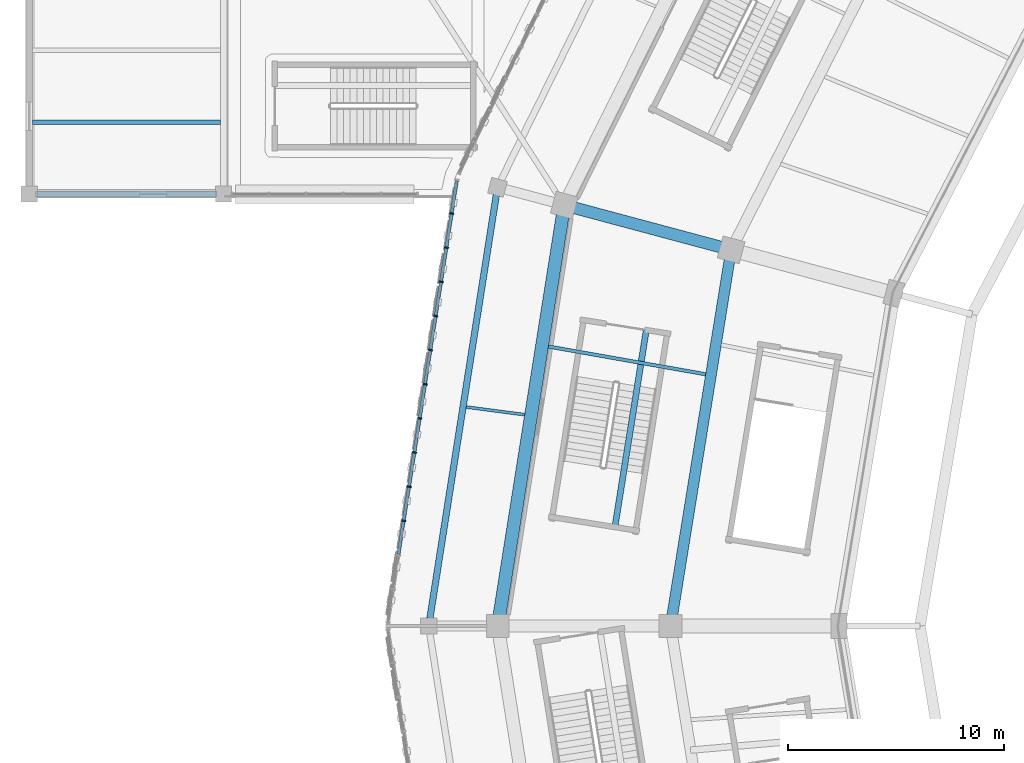
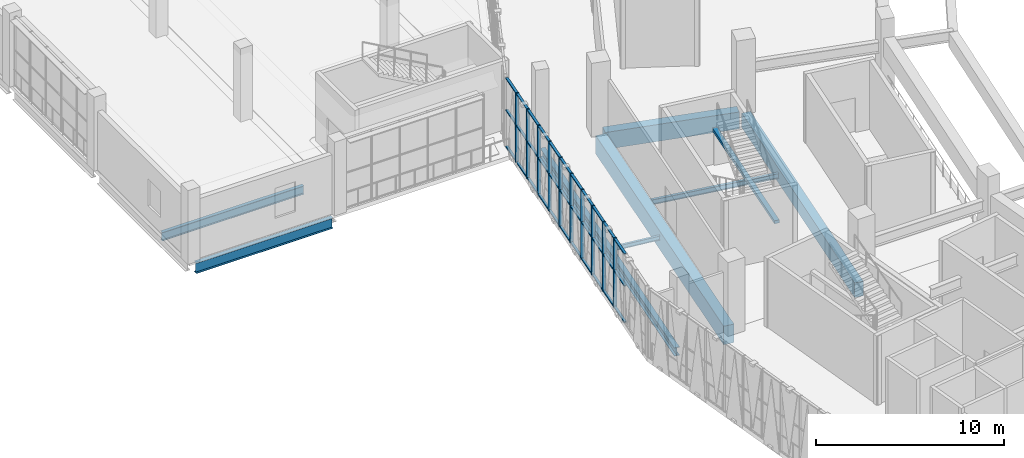
# One storey, part 22 of 179: 43 members, 9 beams, 1 element without a shape of its own.
"""IFC4 building model written with IfcOpenShell, lengths in metres."""

from ifc_helpers import new_model, si_unit, direction, frame, origin, origin_2d, place, context, subcontext, project, spatial, rectangle, i_section, extrude, material, material_profile, profile_set, type_object, element, aggregate, save


model = new_model("IFC4")

# Units and contexts
model_context = context("Model", 3, precision=1e-05, world=origin(), true_north=direction((0.0, 1.0)))
body_context = subcontext(model_context, "Body", "Model", "MODEL_VIEW")
ifc_project = project(units=[si_unit("LENGTHUNIT", "METRE"), si_unit("AREAUNIT", "SQUARE_METRE"), si_unit("VOLUMEUNIT", "CUBIC_METRE"), si_unit("PLANEANGLEUNIT", "RADIAN"), si_unit("MASSUNIT", "GRAM", prefix="KILO")], contexts=[model_context])

# Site, building, storey
site_placement = place(None, origin())
site = spatial("IfcSite", under=ifc_project, at=site_placement, CompositionType="ELEMENT")
building_placement = place(site_placement, origin())
building = spatial("IfcBuilding", under=site, at=building_placement, Name="Zevraka Park Crest Stadium", CompositionType="ELEMENT")
storey_placement = place(building_placement, frame((0.0, 0.0, 10.199951171875)))
storey = spatial("IfcBuildingStorey", under=building, at=storey_placement, Name="L02", CompositionType="ELEMENT", Elevation=10.199951171875)

# Beams
ifc_material_1 = material(Name="Concrete C40/50", Category="concrete")
ifc_material_profile_1 = material_profile(ifc_material_1, rectangle(XDim=0.550048828125, YDim=1.10009765625, at=origin_2d()), Name="RC 1100x550")
ifc_profile_set_1 = profile_set([ifc_material_profile_1], Name="Concrete C40/50")
beam_type_1 = type_object("IfcBeamType", Name="BG02", PredefinedType="BEAM", material=ifc_profile_set_1)
beam_1_placement = place(storey_placement, frame((32.214111328125, 109.4970703125, -0.56005859375), z_axis=(-0.965968812251, 0.258658565986, 0.0), x_axis=(-0.258658565986, -0.965968812251, 0.0)))
element("IfcBeam", 1, at=beam_1_placement, inside=storey, type_object=beam_type_1, Name="Radial Girder BG02 L02-CD-11", PredefinedType="BEAM", context=body_context, shape_type="SweptSolid", body=[
    extrude(rectangle(XDim=0.550048828125, YDim=1.10009765625, at=origin_2d()), origin(), (0.0, 0.0, 1.0), 7.39892578125),
])
ifc_material_2 = material(Name="Steel S355", Category="steel")
ifc_material_profile_2 = material_profile(ifc_material_2, i_section(OverallWidth=0.253662109375, OverallDepth=0.68359375, WebThickness=0.012451171875, FlangeThickness=0.01904296875, at=origin_2d()), Name="UKB 686x254x140")
ifc_profile_set_2 = profile_set([ifc_material_profile_2], Name="Steel S355")
beam_type_2 = type_object("IfcBeamType", Name="BG05", PredefinedType="BEAM", material=ifc_profile_set_2)
beam_2_placement = place(storey_placement, frame((0.300048828125, 112.0, -0.629638671875), z_axis=(1.0, 0.0, 0.0), x_axis=(0.0, 1.0, 0.0)))
element("IfcBeam", 2, at=beam_2_placement, inside=storey, type_object=beam_type_2, Name="Wing Girder BG05 L02-12/N", PredefinedType="BEAM", context=body_context, shape_type="SweptSolid", body=[
    extrude(i_section(OverallWidth=0.253662109375, OverallDepth=0.68359375, WebThickness=0.012451171875, FlangeThickness=0.01904296875, at=origin_2d()), origin(), (0.0, 0.0, 1.0), 8.39990234375),
])

# Curtain wall, members
ifc_material_3 = material(Name="Anodised architectural aluminium and laminated safety glass", Category="aluminium")
curtain_wall_type = type_object("IfcCurtainWallType", Name="CW06", PredefinedType="NOTDEFINED", material=ifc_material_3)
curtain_wall_placement = place(storey_placement, origin())
curtain_wall = element("IfcCurtainWall", 3, at=curtain_wall_placement, inside=storey, type_object=curtain_wall_type, Name="Unitised Ring Curtain Wall CW06 L02-11", PredefinedType="NOTDEFINED")
ifc_material_4 = material(Name="Anodised architectural aluminium", Category="aluminium")
ifc_material_profile_3 = material_profile(ifc_material_4, rectangle(XDim=0.199951171875, YDim=0.070068359375, at=origin_2d()), Name="ALU MULLION 200x70")
ifc_profile_set_3 = profile_set([ifc_material_profile_3], Name="Anodised architectural aluminium")
member_type_1 = type_object("IfcMemberType", Name="CM03", PredefinedType="MULLION", material=ifc_profile_set_3)
member_1_placement = place(storey_placement, frame((19.56396484375, 111.1025390625, 0.0), z_axis=(0.0, 0.0, 1.0), x_axis=(0.988028063865, -0.154274252598, 0.0)))
member_1 = element("IfcMember", 4, at=member_1_placement, type_object=member_type_1, Name="CW06 mullion 2", PredefinedType="MULLION", context=body_context, shape_type="SweptSolid", body=[
    extrude(rectangle(XDim=0.199951171875, YDim=0.070068359375, at=origin_2d()), origin(), (0.0, 0.0, 1.0), 4.5),
])
member_2_placement = place(storey_placement, frame((19.317138671875, 109.521240234375, 0.0), z_axis=(0.0, 0.0, 1.0), x_axis=(0.988028063865, -0.154274252598, 0.0)))
member_2 = element("IfcMember", 5, at=member_2_placement, type_object=member_type_1, Name="CW06 mullion 3", PredefinedType="MULLION", context=body_context, shape_type="SweptSolid", body=[
    extrude(rectangle(XDim=0.199951171875, YDim=0.070068359375, at=origin_2d()), origin(), (0.0, 0.0, 1.0), 4.5),
])
member_3_placement = place(storey_placement, frame((19.0703125, 107.93994140625, 0.0), z_axis=(0.0, 0.0, 1.0), x_axis=(0.988028063865, -0.154274252598, 0.0)))
member_3 = element("IfcMember", 6, at=member_3_placement, type_object=member_type_1, Name="CW06 mullion 4", PredefinedType="MULLION", context=body_context, shape_type="SweptSolid", body=[
    extrude(rectangle(XDim=0.199951171875, YDim=0.070068359375, at=origin_2d()), origin(), (0.0, 0.0, 1.0), 4.5),
])
member_4_placement = place(storey_placement, frame((18.8232421875, 106.3583984375, 0.0), z_axis=(0.0, 0.0, 1.0), x_axis=(0.988028063865, -0.154274252598, 0.0)))
member_4 = element("IfcMember", 7, at=member_4_placement, type_object=member_type_1, Name="CW06 mullion 5", PredefinedType="MULLION", context=body_context, shape_type="SweptSolid", body=[
    extrude(rectangle(XDim=0.199951171875, YDim=0.070068359375, at=origin_2d()), origin(), (0.0, 0.0, 1.0), 4.5),
])
member_5_placement = place(storey_placement, frame((18.576416015625, 104.777099609375, 0.0), z_axis=(0.0, 0.0, 1.0), x_axis=(0.988028063865, -0.154274252598, 0.0)))
member_5 = element("IfcMember", 8, at=member_5_placement, type_object=member_type_1, Name="CW06 mullion 6", PredefinedType="MULLION", context=body_context, shape_type="SweptSolid", body=[
    extrude(rectangle(XDim=0.199951171875, YDim=0.070068359375, at=origin_2d()), origin(), (0.0, 0.0, 1.0), 4.5),
])
member_6_placement = place(storey_placement, frame((18.329345703125, 103.19580078125, 0.0), z_axis=(0.0, 0.0, 1.0), x_axis=(0.988028063865, -0.154274252598, 0.0)))
member_6 = element("IfcMember", 9, at=member_6_placement, type_object=member_type_1, Name="CW06 mullion 7", PredefinedType="MULLION", context=body_context, shape_type="SweptSolid", body=[
    extrude(rectangle(XDim=0.199951171875, YDim=0.070068359375, at=origin_2d()), origin(), (0.0, 0.0, 1.0), 4.5),
])
member_7_placement = place(storey_placement, frame((18.08251953125, 101.6142578125, 0.0), z_axis=(0.0, 0.0, 1.0), x_axis=(0.988028063865, -0.154274252598, 0.0)))
member_7 = element("IfcMember", 10, at=member_7_placement, type_object=member_type_1, Name="CW06 mullion 8", PredefinedType="MULLION", context=body_context, shape_type="SweptSolid", body=[
    extrude(rectangle(XDim=0.199951171875, YDim=0.070068359375, at=origin_2d()), origin(), (0.0, 0.0, 1.0), 4.5),
])
member_8_placement = place(storey_placement, frame((17.835693359375, 100.032958984375, 0.0), z_axis=(0.0, 0.0, 1.0), x_axis=(0.988028063865, -0.154274252598, 0.0)))
member_8 = element("IfcMember", 11, at=member_8_placement, type_object=member_type_1, Name="CW06 mullion 9", PredefinedType="MULLION", context=body_context, shape_type="SweptSolid", body=[
    extrude(rectangle(XDim=0.199951171875, YDim=0.070068359375, at=origin_2d()), origin(), (0.0, 0.0, 1.0), 4.5),
])
member_9_placement = place(storey_placement, frame((17.588623046875, 98.45166015625, 0.0), z_axis=(0.0, 0.0, 1.0), x_axis=(0.988028063865, -0.154274252598, 0.0)))
member_9 = element("IfcMember", 12, at=member_9_placement, type_object=member_type_1, Name="CW06 mullion 10", PredefinedType="MULLION", context=body_context, shape_type="SweptSolid", body=[
    extrude(rectangle(XDim=0.199951171875, YDim=0.070068359375, at=origin_2d()), origin(), (0.0, 0.0, 1.0), 4.5),
])
member_10_placement = place(storey_placement, frame((17.341796875, 96.8701171875, 0.0), z_axis=(0.0, 0.0, 1.0), x_axis=(0.988028063865, -0.154274252598, 0.0)))
member_10 = element("IfcMember", 13, at=member_10_placement, type_object=member_type_1, Name="CW06 mullion 11", PredefinedType="MULLION", context=body_context, shape_type="SweptSolid", body=[
    extrude(rectangle(XDim=0.199951171875, YDim=0.070068359375, at=origin_2d()), origin(), (0.0, 0.0, 1.0), 4.5),
])
ifc_material_5 = material(Name="Anodised architectural aluminium", Category="aluminium")
ifc_material_profile_4 = material_profile(ifc_material_5, rectangle(XDim=0.14990234375, YDim=0.070068359375, at=origin_2d()), Name="ALU TRANSOM 150x70")
ifc_profile_set_4 = profile_set([ifc_material_profile_4], Name="Anodised architectural aluminium")
member_type_2 = type_object("IfcMemberType", Name="CT03", PredefinedType="USERDEFINED", material=ifc_profile_set_4)
member_11_placement = place(storey_placement, frame((19.80029296875, 112.61474609375, 0.03515625), z_axis=(-0.15427727598, -0.988027591779, 0.0), x_axis=(0.988027591779, -0.15427727598, 0.0)))
member_11 = element("IfcMember", 14, at=member_11_placement, type_object=member_type_2, Name="CW06 transom 1.1", ObjectType="TRANSOM", PredefinedType="USERDEFINED", context=body_context, shape_type="SweptSolid", body=[
    extrude(rectangle(XDim=0.14990234375, YDim=0.070068359375, at=origin_2d()), origin(), (0.0, 0.0, 1.0), 1.495361328125),
])
member_12_placement = place(storey_placement, frame((19.80029296875, 112.61474609375, 2.400146484375), z_axis=(-0.15427727598, -0.988027591779, 0.0), x_axis=(0.988027591779, -0.15427727598, 0.0)))
member_12 = element("IfcMember", 15, at=member_12_placement, type_object=member_type_2, Name="CW06 transom 1.2", ObjectType="TRANSOM", PredefinedType="USERDEFINED", context=body_context, shape_type="SweptSolid", body=[
    extrude(rectangle(XDim=0.14990234375, YDim=0.070068359375, at=origin_2d()), origin(), (0.0, 0.0, 1.0), 1.495361328125),
])
member_13_placement = place(storey_placement, frame((19.80029296875, 112.61474609375, 4.465087890625), z_axis=(-0.15427727598, -0.988027591779, 0.0), x_axis=(0.988027591779, -0.15427727598, 0.0)))
member_13 = element("IfcMember", 16, at=member_13_placement, type_object=member_type_2, Name="CW06 transom 1.3", ObjectType="TRANSOM", PredefinedType="USERDEFINED", context=body_context, shape_type="SweptSolid", body=[
    extrude(rectangle(XDim=0.14990234375, YDim=0.070068359375, at=origin_2d()), origin(), (0.0, 0.0, 1.0), 1.495361328125),
])
member_14_placement = place(storey_placement, frame((19.55859375, 111.068115234375, 0.03515625), z_axis=(-0.154250362395, -0.988031793872, 0.0), x_axis=(0.988031793872, -0.154250362395, 0.0)))
member_14 = element("IfcMember", 17, at=member_14_placement, type_object=member_type_2, Name="CW06 transom 2.1", ObjectType="TRANSOM", PredefinedType="USERDEFINED", context=body_context, shape_type="SweptSolid", body=[
    extrude(rectangle(XDim=0.14990234375, YDim=0.070068359375, at=origin_2d()), origin(), (0.0, 0.0, 1.0), 1.530517578125),
])
member_15_placement = place(storey_placement, frame((19.55859375, 111.068115234375, 2.400146484375), z_axis=(-0.154250362395, -0.988031793872, 0.0), x_axis=(0.988031793872, -0.154250362395, 0.0)))
member_15 = element("IfcMember", 18, at=member_15_placement, type_object=member_type_2, Name="CW06 transom 2.2", ObjectType="TRANSOM", PredefinedType="USERDEFINED", context=body_context, shape_type="SweptSolid", body=[
    extrude(rectangle(XDim=0.14990234375, YDim=0.070068359375, at=origin_2d()), origin(), (0.0, 0.0, 1.0), 1.530517578125),
])
member_16_placement = place(storey_placement, frame((19.55859375, 111.068115234375, 4.465087890625), z_axis=(-0.154250362395, -0.988031793872, 0.0), x_axis=(0.988031793872, -0.154250362395, 0.0)))
member_16 = element("IfcMember", 19, at=member_16_placement, type_object=member_type_2, Name="CW06 transom 2.3", ObjectType="TRANSOM", PredefinedType="USERDEFINED", context=body_context, shape_type="SweptSolid", body=[
    extrude(rectangle(XDim=0.14990234375, YDim=0.070068359375, at=origin_2d()), origin(), (0.0, 0.0, 1.0), 1.530517578125),
])
member_17_placement = place(storey_placement, frame((19.311767578125, 109.486572265625, 0.03515625), z_axis=(-0.154250362395, -0.988031793872, 0.0), x_axis=(0.988031793872, -0.154250362395, 0.0)))
member_17 = element("IfcMember", 20, at=member_17_placement, type_object=member_type_2, Name="CW06 transom 3.1", ObjectType="TRANSOM", PredefinedType="USERDEFINED", context=body_context, shape_type="SweptSolid", body=[
    extrude(rectangle(XDim=0.14990234375, YDim=0.070068359375, at=origin_2d()), origin(), (0.0, 0.0, 1.0), 1.530517578125),
])
member_18_placement = place(storey_placement, frame((19.311767578125, 109.486572265625, 2.400146484375), z_axis=(-0.154250362395, -0.988031793872, 0.0), x_axis=(0.988031793872, -0.154250362395, 0.0)))
member_18 = element("IfcMember", 21, at=member_18_placement, type_object=member_type_2, Name="CW06 transom 3.2", ObjectType="TRANSOM", PredefinedType="USERDEFINED", context=body_context, shape_type="SweptSolid", body=[
    extrude(rectangle(XDim=0.14990234375, YDim=0.070068359375, at=origin_2d()), origin(), (0.0, 0.0, 1.0), 1.530517578125),
])
member_19_placement = place(storey_placement, frame((19.311767578125, 109.486572265625, 4.465087890625), z_axis=(-0.154250362395, -0.988031793872, 0.0), x_axis=(0.988031793872, -0.154250362395, 0.0)))
member_19 = element("IfcMember", 22, at=member_19_placement, type_object=member_type_2, Name="CW06 transom 3.3", ObjectType="TRANSOM", PredefinedType="USERDEFINED", context=body_context, shape_type="SweptSolid", body=[
    extrude(rectangle(XDim=0.14990234375, YDim=0.070068359375, at=origin_2d()), origin(), (0.0, 0.0, 1.0), 1.530517578125),
])
member_20_placement = place(storey_placement, frame((19.06494140625, 107.9052734375, 0.03515625), z_axis=(-0.154406075629, -0.988007471535, 0.0), x_axis=(0.988007471535, -0.154406075629, 0.0)))
member_20 = element("IfcMember", 23, at=member_20_placement, type_object=member_type_2, Name="CW06 transom 4.1", ObjectType="TRANSOM", PredefinedType="USERDEFINED", context=body_context, shape_type="SweptSolid", body=[
    extrude(rectangle(XDim=0.14990234375, YDim=0.070068359375, at=origin_2d()), origin(), (0.0, 0.0, 1.0), 1.530517578125),
])
member_21_placement = place(storey_placement, frame((19.06494140625, 107.9052734375, 2.400146484375), z_axis=(-0.154406075629, -0.988007471535, 0.0), x_axis=(0.988007471535, -0.154406075629, 0.0)))
member_21 = element("IfcMember", 24, at=member_21_placement, type_object=member_type_2, Name="CW06 transom 4.2", ObjectType="TRANSOM", PredefinedType="USERDEFINED", context=body_context, shape_type="SweptSolid", body=[
    extrude(rectangle(XDim=0.14990234375, YDim=0.070068359375, at=origin_2d()), origin(), (0.0, 0.0, 1.0), 1.530517578125),
])
member_22_placement = place(storey_placement, frame((19.06494140625, 107.9052734375, 4.465087890625), z_axis=(-0.154406075629, -0.988007471535, 0.0), x_axis=(0.988007471535, -0.154406075629, 0.0)))
member_22 = element("IfcMember", 25, at=member_22_placement, type_object=member_type_2, Name="CW06 transom 4.3", ObjectType="TRANSOM", PredefinedType="USERDEFINED", context=body_context, shape_type="SweptSolid", body=[
    extrude(rectangle(XDim=0.14990234375, YDim=0.070068359375, at=origin_2d()), origin(), (0.0, 0.0, 1.0), 1.530517578125),
])
member_23_placement = place(storey_placement, frame((18.81787109375, 106.323974609375, 0.03515625), z_axis=(-0.154250362395, -0.988031793872, 0.0), x_axis=(0.988031793872, -0.154250362395, 0.0)))
member_23 = element("IfcMember", 26, at=member_23_placement, type_object=member_type_2, Name="CW06 transom 5.1", ObjectType="TRANSOM", PredefinedType="USERDEFINED", context=body_context, shape_type="SweptSolid", body=[
    extrude(rectangle(XDim=0.14990234375, YDim=0.070068359375, at=origin_2d()), origin(), (0.0, 0.0, 1.0), 1.530517578125),
])
member_24_placement = place(storey_placement, frame((18.81787109375, 106.323974609375, 2.400146484375), z_axis=(-0.154250362395, -0.988031793872, 0.0), x_axis=(0.988031793872, -0.154250362395, 0.0)))
member_24 = element("IfcMember", 27, at=member_24_placement, type_object=member_type_2, Name="CW06 transom 5.2", ObjectType="TRANSOM", PredefinedType="USERDEFINED", context=body_context, shape_type="SweptSolid", body=[
    extrude(rectangle(XDim=0.14990234375, YDim=0.070068359375, at=origin_2d()), origin(), (0.0, 0.0, 1.0), 1.530517578125),
])
member_25_placement = place(storey_placement, frame((18.81787109375, 106.323974609375, 4.465087890625), z_axis=(-0.154250362395, -0.988031793872, 0.0), x_axis=(0.988031793872, -0.154250362395, 0.0)))
member_25 = element("IfcMember", 28, at=member_25_placement, type_object=member_type_2, Name="CW06 transom 5.3", ObjectType="TRANSOM", PredefinedType="USERDEFINED", context=body_context, shape_type="SweptSolid", body=[
    extrude(rectangle(XDim=0.14990234375, YDim=0.070068359375, at=origin_2d()), origin(), (0.0, 0.0, 1.0), 1.530517578125),
])
member_26_placement = place(storey_placement, frame((18.571044921875, 104.742431640625, 0.03515625), z_axis=(-0.154250362395, -0.988031793872, 0.0), x_axis=(0.988031793872, -0.154250362395, 0.0)))
member_26 = element("IfcMember", 29, at=member_26_placement, type_object=member_type_2, Name="CW06 transom 6.1", ObjectType="TRANSOM", PredefinedType="USERDEFINED", context=body_context, shape_type="SweptSolid", body=[
    extrude(rectangle(XDim=0.14990234375, YDim=0.070068359375, at=origin_2d()), origin(), (0.0, 0.0, 1.0), 1.530517578125),
])
member_27_placement = place(storey_placement, frame((18.571044921875, 104.742431640625, 2.400146484375), z_axis=(-0.154250362395, -0.988031793872, 0.0), x_axis=(0.988031793872, -0.154250362395, 0.0)))
member_27 = element("IfcMember", 30, at=member_27_placement, type_object=member_type_2, Name="CW06 transom 6.2", ObjectType="TRANSOM", PredefinedType="USERDEFINED", context=body_context, shape_type="SweptSolid", body=[
    extrude(rectangle(XDim=0.14990234375, YDim=0.070068359375, at=origin_2d()), origin(), (0.0, 0.0, 1.0), 1.530517578125),
])
member_28_placement = place(storey_placement, frame((18.571044921875, 104.742431640625, 4.465087890625), z_axis=(-0.154250362395, -0.988031793872, 0.0), x_axis=(0.988031793872, -0.154250362395, 0.0)))
member_28 = element("IfcMember", 31, at=member_28_placement, type_object=member_type_2, Name="CW06 transom 6.3", ObjectType="TRANSOM", PredefinedType="USERDEFINED", context=body_context, shape_type="SweptSolid", body=[
    extrude(rectangle(XDim=0.14990234375, YDim=0.070068359375, at=origin_2d()), origin(), (0.0, 0.0, 1.0), 1.530517578125),
])
member_29_placement = place(storey_placement, frame((18.323974609375, 103.1611328125, 0.03515625), z_axis=(-0.154250362395, -0.988031793872, 0.0), x_axis=(0.988031793872, -0.154250362395, 0.0)))
member_29 = element("IfcMember", 32, at=member_29_placement, type_object=member_type_2, Name="CW06 transom 7.1", ObjectType="TRANSOM", PredefinedType="USERDEFINED", context=body_context, shape_type="SweptSolid", body=[
    extrude(rectangle(XDim=0.14990234375, YDim=0.070068359375, at=origin_2d()), origin(), (0.0, 0.0, 1.0), 1.530517578125),
])
member_30_placement = place(storey_placement, frame((18.323974609375, 103.1611328125, 2.400146484375), z_axis=(-0.154250362395, -0.988031793872, 0.0), x_axis=(0.988031793872, -0.154250362395, 0.0)))
member_30 = element("IfcMember", 33, at=member_30_placement, type_object=member_type_2, Name="CW06 transom 7.2", ObjectType="TRANSOM", PredefinedType="USERDEFINED", context=body_context, shape_type="SweptSolid", body=[
    extrude(rectangle(XDim=0.14990234375, YDim=0.070068359375, at=origin_2d()), origin(), (0.0, 0.0, 1.0), 1.530517578125),
])
member_31_placement = place(storey_placement, frame((18.323974609375, 103.1611328125, 4.465087890625), z_axis=(-0.154250362395, -0.988031793872, 0.0), x_axis=(0.988031793872, -0.154250362395, 0.0)))
member_31 = element("IfcMember", 34, at=member_31_placement, type_object=member_type_2, Name="CW06 transom 7.3", ObjectType="TRANSOM", PredefinedType="USERDEFINED", context=body_context, shape_type="SweptSolid", body=[
    extrude(rectangle(XDim=0.14990234375, YDim=0.070068359375, at=origin_2d()), origin(), (0.0, 0.0, 1.0), 1.530517578125),
])
member_32_placement = place(storey_placement, frame((18.0771484375, 101.579833984375, 0.03515625), z_axis=(-0.154226055514, -0.988035588327, 0.0), x_axis=(0.988035588327, -0.154226055514, 0.0)))
member_32 = element("IfcMember", 35, at=member_32_placement, type_object=member_type_2, Name="CW06 transom 8.1", ObjectType="TRANSOM", PredefinedType="USERDEFINED", context=body_context, shape_type="SweptSolid", body=[
    extrude(rectangle(XDim=0.14990234375, YDim=0.070068359375, at=origin_2d()), origin(), (0.0, 0.0, 1.0), 1.53076171875),
])
member_33_placement = place(storey_placement, frame((18.0771484375, 101.579833984375, 2.400146484375), z_axis=(-0.154226055514, -0.988035588327, 0.0), x_axis=(0.988035588327, -0.154226055514, 0.0)))
member_33 = element("IfcMember", 36, at=member_33_placement, type_object=member_type_2, Name="CW06 transom 8.2", ObjectType="TRANSOM", PredefinedType="USERDEFINED", context=body_context, shape_type="SweptSolid", body=[
    extrude(rectangle(XDim=0.14990234375, YDim=0.070068359375, at=origin_2d()), origin(), (0.0, 0.0, 1.0), 1.53076171875),
])
member_34_placement = place(storey_placement, frame((18.0771484375, 101.579833984375, 4.465087890625), z_axis=(-0.154226055514, -0.988035588327, 0.0), x_axis=(0.988035588327, -0.154226055514, 0.0)))
member_34 = element("IfcMember", 37, at=member_34_placement, type_object=member_type_2, Name="CW06 transom 8.3", ObjectType="TRANSOM", PredefinedType="USERDEFINED", context=body_context, shape_type="SweptSolid", body=[
    extrude(rectangle(XDim=0.14990234375, YDim=0.070068359375, at=origin_2d()), origin(), (0.0, 0.0, 1.0), 1.53076171875),
])
member_35_placement = place(storey_placement, frame((17.830322265625, 99.998291015625, 0.03515625), z_axis=(-0.154406075629, -0.988007471535, 0.0), x_axis=(0.988007471535, -0.154406075629, 0.0)))
member_35 = element("IfcMember", 38, at=member_35_placement, type_object=member_type_2, Name="CW06 transom 9.1", ObjectType="TRANSOM", PredefinedType="USERDEFINED", context=body_context, shape_type="SweptSolid", body=[
    extrude(rectangle(XDim=0.14990234375, YDim=0.070068359375, at=origin_2d()), origin(), (0.0, 0.0, 1.0), 1.530517578125),
])
member_36_placement = place(storey_placement, frame((17.830322265625, 99.998291015625, 2.400146484375), z_axis=(-0.154406075629, -0.988007471535, 0.0), x_axis=(0.988007471535, -0.154406075629, 0.0)))
member_36 = element("IfcMember", 39, at=member_36_placement, type_object=member_type_2, Name="CW06 transom 9.2", ObjectType="TRANSOM", PredefinedType="USERDEFINED", context=body_context, shape_type="SweptSolid", body=[
    extrude(rectangle(XDim=0.14990234375, YDim=0.070068359375, at=origin_2d()), origin(), (0.0, 0.0, 1.0), 1.530517578125),
])
member_37_placement = place(storey_placement, frame((17.830322265625, 99.998291015625, 4.465087890625), z_axis=(-0.154406075629, -0.988007471535, 0.0), x_axis=(0.988007471535, -0.154406075629, 0.0)))
member_37 = element("IfcMember", 40, at=member_37_placement, type_object=member_type_2, Name="CW06 transom 9.3", ObjectType="TRANSOM", PredefinedType="USERDEFINED", context=body_context, shape_type="SweptSolid", body=[
    extrude(rectangle(XDim=0.14990234375, YDim=0.070068359375, at=origin_2d()), origin(), (0.0, 0.0, 1.0), 1.530517578125),
])
member_38_placement = place(storey_placement, frame((17.583251953125, 98.4169921875, 0.03515625), z_axis=(-0.154250362395, -0.988031793872, 0.0), x_axis=(0.988031793872, -0.154250362395, 0.0)))
member_38 = element("IfcMember", 41, at=member_38_placement, type_object=member_type_2, Name="CW06 transom 10.1", ObjectType="TRANSOM", PredefinedType="USERDEFINED", context=body_context, shape_type="SweptSolid", body=[
    extrude(rectangle(XDim=0.14990234375, YDim=0.070068359375, at=origin_2d()), origin(), (0.0, 0.0, 1.0), 1.530517578125),
])
member_39_placement = place(storey_placement, frame((17.583251953125, 98.4169921875, 2.400146484375), z_axis=(-0.154250362395, -0.988031793872, 0.0), x_axis=(0.988031793872, -0.154250362395, 0.0)))
member_39 = element("IfcMember", 42, at=member_39_placement, type_object=member_type_2, Name="CW06 transom 10.2", ObjectType="TRANSOM", PredefinedType="USERDEFINED", context=body_context, shape_type="SweptSolid", body=[
    extrude(rectangle(XDim=0.14990234375, YDim=0.070068359375, at=origin_2d()), origin(), (0.0, 0.0, 1.0), 1.530517578125),
])
member_40_placement = place(storey_placement, frame((17.583251953125, 98.4169921875, 4.465087890625), z_axis=(-0.154250362395, -0.988031793872, 0.0), x_axis=(0.988031793872, -0.154250362395, 0.0)))
member_40 = element("IfcMember", 43, at=member_40_placement, type_object=member_type_2, Name="CW06 transom 10.3", ObjectType="TRANSOM", PredefinedType="USERDEFINED", context=body_context, shape_type="SweptSolid", body=[
    extrude(rectangle(XDim=0.14990234375, YDim=0.070068359375, at=origin_2d()), origin(), (0.0, 0.0, 1.0), 1.530517578125),
])
member_41_placement = place(storey_placement, frame((17.33642578125, 96.835693359375, 0.03515625), z_axis=(-0.154226055514, -0.988035588327, 0.0), x_axis=(0.988035588327, -0.154226055514, 0.0)))
member_41 = element("IfcMember", 44, at=member_41_placement, type_object=member_type_2, Name="CW06 transom 11.1", ObjectType="TRANSOM", PredefinedType="USERDEFINED", context=body_context, shape_type="SweptSolid", body=[
    extrude(rectangle(XDim=0.14990234375, YDim=0.070068359375, at=origin_2d()), origin(), (0.0, 0.0, 1.0), 1.53076171875),
])
member_42_placement = place(storey_placement, frame((17.33642578125, 96.835693359375, 2.400146484375), z_axis=(-0.154226055514, -0.988035588327, 0.0), x_axis=(0.988035588327, -0.154226055514, 0.0)))
member_42 = element("IfcMember", 45, at=member_42_placement, type_object=member_type_2, Name="CW06 transom 11.2", ObjectType="TRANSOM", PredefinedType="USERDEFINED", context=body_context, shape_type="SweptSolid", body=[
    extrude(rectangle(XDim=0.14990234375, YDim=0.070068359375, at=origin_2d()), origin(), (0.0, 0.0, 1.0), 1.53076171875),
])
member_43_placement = place(storey_placement, frame((17.33642578125, 96.835693359375, 4.465087890625), z_axis=(-0.154226055514, -0.988035588327, 0.0), x_axis=(0.988035588327, -0.154226055514, 0.0)))
member_43 = element("IfcMember", 46, at=member_43_placement, type_object=member_type_2, Name="CW06 transom 11.3", ObjectType="TRANSOM", PredefinedType="USERDEFINED", context=body_context, shape_type="SweptSolid", body=[
    extrude(rectangle(XDim=0.14990234375, YDim=0.070068359375, at=origin_2d()), origin(), (0.0, 0.0, 1.0), 1.53076171875),
])
aggregate(curtain_wall, [member_1, member_2, member_3, member_4, member_5, member_6, member_7, member_8, member_9, member_10, member_11, member_12, member_13, member_14, member_15, member_16, member_17, member_18, member_19, member_20, member_21, member_22, member_23, member_24, member_25, member_26, member_27, member_28, member_29, member_30, member_31, member_32, member_33, member_34, member_35, member_36, member_37, member_38, member_39, member_40, member_41, member_42, member_43])

# Beams
ifc_material_6 = material(Name="Concrete C40/50", Category="concrete")
ifc_material_profile_5 = material_profile(ifc_material_6, rectangle(XDim=0.60009765625, YDim=1.199951171875, at=origin_2d()), Name="RC 1200x600")
ifc_profile_set_5 = profile_set([ifc_material_profile_5], Name="Concrete C40/50")
beam_type_3 = type_object("IfcBeamType", Name="RB01", PredefinedType="BEAM", material=ifc_profile_set_5)
beam_3_placement = place(storey_placement, frame((24.718017578125, 111.114013671875, -0.60986328125), z_axis=(-0.155972486086, -0.987761400129, 0.0), x_axis=(0.987761400129, -0.155972486086, 0.0)))
element("IfcBeam", 47, at=beam_3_placement, inside=storey, type_object=beam_type_3, Name="Ring Beam RB01 L02-D-11", PredefinedType="BEAM", context=body_context, shape_type="SweptSolid", body=[
    extrude(rectangle(XDim=0.60009765625, YDim=1.199951171875, at=origin_2d()), origin(), (0.0, 0.0, 1.0), 18.97119140625),
])
ifc_material_7 = material(Name="Concrete C40/50", Category="concrete")
ifc_material_profile_6 = material_profile(ifc_material_7, rectangle(XDim=0.5, YDim=0.949951171875, at=origin_2d()), Name="RC 950x500")
ifc_profile_set_6 = profile_set([ifc_material_profile_6], Name="Concrete C40/50")
beam_type_4 = type_object("IfcBeamType", Name="RB02", PredefinedType="BEAM", material=ifc_profile_set_6)
beam_4_placement = place(storey_placement, frame((32.444091796875, 109.0439453125, -0.48486328125), z_axis=(-0.158975112778, -0.987282590507, 0.0), x_axis=(0.987282590507, -0.158975112778, 0.0)))
element("IfcBeam", 48, at=beam_4_placement, inside=storey, type_object=beam_type_4, Name="Ring Beam RB02 L02-C-11", PredefinedType="BEAM", context=body_context, shape_type="SweptSolid", body=[
    extrude(rectangle(XDim=0.5, YDim=0.949951171875, at=origin_2d()), origin(), (0.0, 0.0, 1.0), 16.883544921875),
])
ifc_material_8 = material(Name="Steel S355", Category="steel")
ifc_material_profile_7 = material_profile(ifc_material_8, i_section(OverallWidth=0.300048828125, OverallDepth=0.550048828125, WebThickness=0.014892578125, FlangeThickness=0.029052734375, at=origin_2d()), Name="HEB 550")
ifc_profile_set_7 = profile_set([ifc_material_profile_7], Name="Steel S355")
beam_type_5 = type_object("IfcBeamType", Name="RB04", PredefinedType="BEAM", material=ifc_profile_set_7)
beam_5_placement = place(storey_placement, frame((21.632080078125, 111.970947265625, -0.5849609375), z_axis=(-0.154952716421, -0.987921887435, 0.0), x_axis=(0.987921887435, -0.154952716421, 0.0)))
element("IfcBeam", 49, at=beam_5_placement, inside=storey, type_object=beam_type_5, Name="Ring Beam RB04 L02-E-11", PredefinedType="BEAM", context=body_context, shape_type="SweptSolid", body=[
    extrude(i_section(OverallWidth=0.300048828125, OverallDepth=0.550048828125, WebThickness=0.014892578125, FlangeThickness=0.029052734375, at=origin_2d()), origin(), (0.0, 0.0, 1.0), 19.864990234375),
])
ifc_material_9 = material(Name="Steel S355", Category="steel")
ifc_material_profile_8 = material_profile(ifc_material_9, i_section(OverallWidth=0.2099609375, OverallDepth=0.550048828125, WebThickness=0.010986328125, FlangeThickness=0.01708984375, at=origin_2d()), Name="IPE 550")
ifc_profile_set_8 = profile_set([ifc_material_profile_8], Name="Steel S355")
beam_type_6 = type_object("IfcBeamType", Name="SJ04", PredefinedType="JOIST", material=ifc_profile_set_8)
beam_6_placement = place(storey_placement, frame((0.14501953125, 115.3330078125, -0.56494140625), z_axis=(1.0, 0.0, 0.0), x_axis=(0.0, 1.0, 0.0)))
element("IfcBeam", 50, at=beam_6_placement, inside=storey, type_object=beam_type_6, Name="Wing Joist SJ04 L02-1/N-1", PredefinedType="JOIST", context=body_context, shape_type="SweptSolid", body=[
    extrude(i_section(OverallWidth=0.2099609375, OverallDepth=0.550048828125, WebThickness=0.010986328125, FlangeThickness=0.01708984375, at=origin_2d()), origin(), (0.0, 0.0, 1.0), 8.7099609375),
])
ifc_material_10 = material(Name="Steel S355", Category="steel")
ifc_material_profile_9 = material_profile(ifc_material_10, i_section(OverallWidth=0.135009765625, OverallDepth=0.27001953125, WebThickness=0.006591796875, FlangeThickness=0.01025390625, at=origin_2d()), Name="IPE 270")
ifc_profile_set_9 = profile_set([ifc_material_profile_9], Name="Steel S355")
beam_type_7 = type_object("IfcBeamType", Name="SJ07", PredefinedType="JOIST", material=ifc_profile_set_9)
beam_7_placement = place(storey_placement, frame((22.946044921875, 101.782958984375, -0.4228515625), z_axis=(-0.991431166896, 0.130630169971, 0.0), x_axis=(-0.130630169971, -0.991431166896, 0.0)))
element("IfcBeam", 51, at=beam_7_placement, inside=storey, type_object=beam_type_7, Name="Floor Joist SJ07 L02-DE-11-1", PredefinedType="JOIST", context=body_context, shape_type="SweptSolid", body=[
    extrude(i_section(OverallWidth=0.135009765625, OverallDepth=0.27001953125, WebThickness=0.006591796875, FlangeThickness=0.01025390625, at=origin_2d()), origin(), (0.0, 0.0, 1.0), 2.732421875),
])
ifc_material_11 = material(Name="Steel S355", Category="steel")
ifc_material_profile_10 = material_profile(ifc_material_11, i_section(OverallWidth=0.159912109375, OverallDepth=0.330078125, WebThickness=0.007568359375, FlangeThickness=0.011474609375, at=origin_2d()), Name="IPE 330")
ifc_profile_set_10 = profile_set([ifc_material_profile_10], Name="Steel S355")
beam_type_8 = type_object("IfcBeamType", Name="SJ08", PredefinedType="JOIST", material=ifc_profile_set_10)
beam_8_placement = place(storey_placement, frame((31.327880859375, 103.655029296875, -0.452880859375), z_axis=(-0.984780236621, 0.17380415864, 0.0), x_axis=(-0.17380415864, -0.984780236621, 0.0)))
element("IfcBeam", 52, at=beam_8_placement, inside=storey, type_object=beam_type_8, Name="Floor Joist SJ08 L02-CD-11-1", PredefinedType="JOIST", context=body_context, shape_type="SweptSolid", body=[
    extrude(i_section(OverallWidth=0.159912109375, OverallDepth=0.330078125, WebThickness=0.007568359375, FlangeThickness=0.011474609375, at=origin_2d()), origin(), (0.0, 0.0, 1.0), 7.3984375),
])
ifc_material_12 = material(Name="Concrete C40/50", Category="concrete")
ifc_material_profile_11 = material_profile(ifc_material_12, rectangle(XDim=0.280029296875, YDim=0.199951171875, at=origin_2d()), Name="RC 200x280")
ifc_profile_set_11 = profile_set([ifc_material_profile_11], Name="Concrete C40/50")
beam_type_9 = type_object("IfcBeamType", Name="SJ13", PredefinedType="JOIST", material=ifc_profile_set_11)
beam_9_placement = place(storey_placement, frame((28.571044921875, 105.678955078125, 2.300048828125), z_axis=(-0.157255460575, -0.987557957853, 0.0), x_axis=(0.987557957853, -0.157255460575, 0.0)))
element("IfcBeam", 53, at=beam_9_placement, inside=storey, type_object=beam_type_9, Name="Stair Upper-Flight Longitudinal Stringer SJ13 ST12-L02", PredefinedType="JOIST", context=body_context, shape_type="SweptSolid", body=[
    extrude(rectangle(XDim=0.280029296875, YDim=0.199951171875, at=origin_2d()), origin(), (0.0, 0.0, 1.0), 9.249755859375),
])

save(model, "model.ifc")
